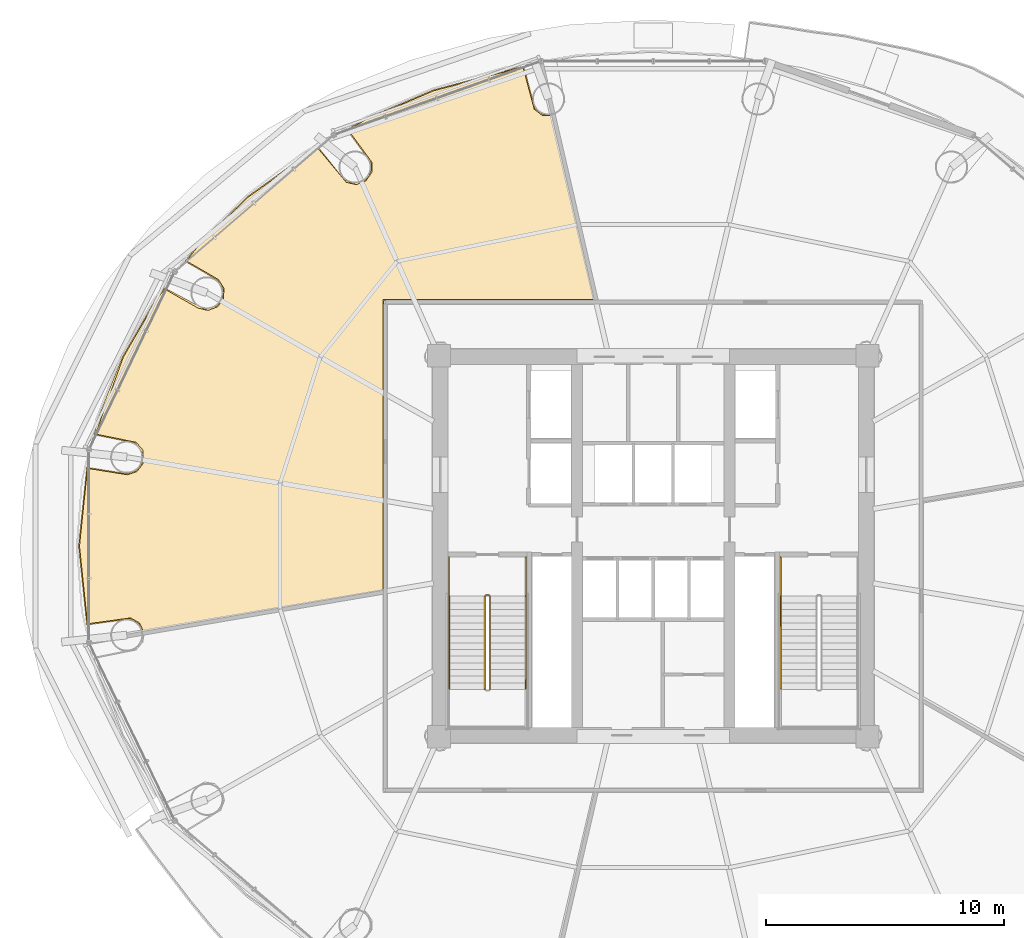
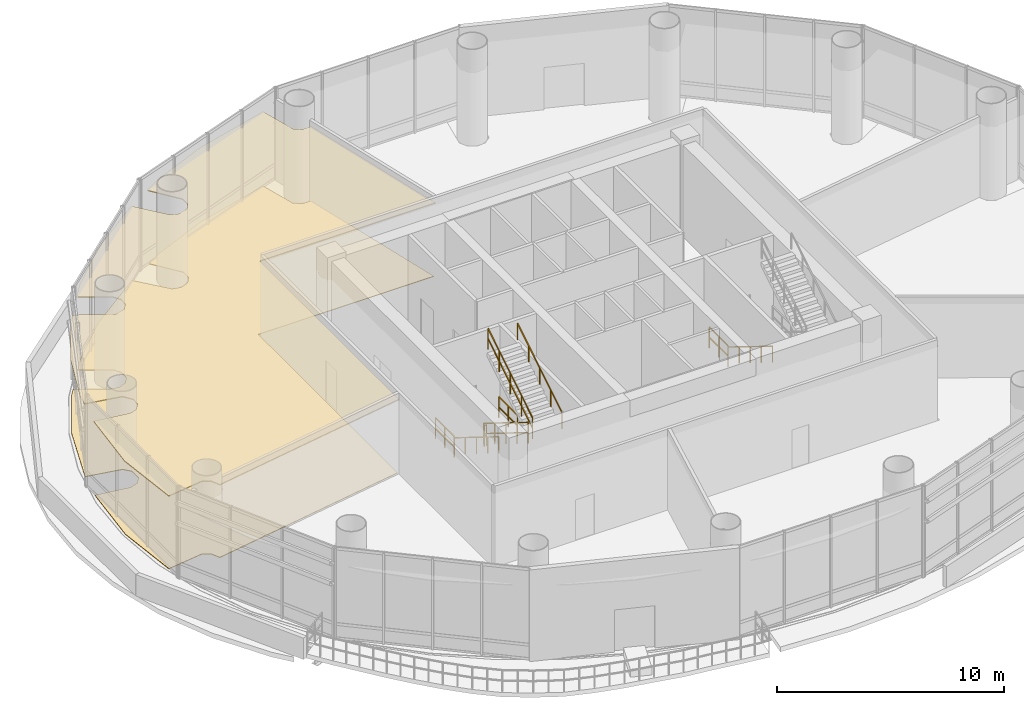
# One storey, part 26 of 29: 9 railings, 2 coverings.
"""IFC4 building model written with IfcOpenShell, lengths in metres."""

from ifc_helpers import new_model, si_unit, direction, frame, origin, origin_2d, place, context, subcontext, project, spatial, polyline, rectangle, outline, extrude, material, layer, layer_set, type_object, element, save


model = new_model("IFC4")

# Units and contexts
model_context = context("Model", 3, precision=1e-05, world=origin(), true_north=direction((-0.2419218956, 0.970295726276)))
body_context = subcontext(model_context, "Body", "Model", "MODEL_VIEW")
ifc_project = project(units=[si_unit("LENGTHUNIT", "METRE"), si_unit("AREAUNIT", "SQUARE_METRE"), si_unit("VOLUMEUNIT", "CUBIC_METRE"), si_unit("PLANEANGLEUNIT", "RADIAN"), si_unit("MASSUNIT", "GRAM", prefix="KILO")], contexts=[model_context])

# Site, building, storey
site_placement = place(None, origin())
site = spatial("IfcSite", under=ifc_project, at=site_placement, CompositionType="ELEMENT")
building_placement = place(site_placement, origin())
building = spatial("IfcBuilding", under=site, at=building_placement, Name="Cobrevalo Terracotta Tower", CompositionType="ELEMENT")
storey_placement = place(building_placement, frame((0.0, 0.0, 130.199951171875)))
storey = spatial("IfcBuildingStorey", under=building, at=storey_placement, Name="L34", CompositionType="ELEMENT", Elevation=130.199951171875)

# Coverings
ifc_material_1 = material(Name="Honed terracotta and granite tile", Category="masonry")
ifc_layer_1 = layer(ifc_material_1, 0.034912109375)
ifc_layer_set_1 = layer_set([ifc_layer_1], Name="Honed terracotta and granite tile")
covering_type_1 = type_object("IfcCoveringType", Name="Honed Terracotta & Granite Interior Flooring 35", PredefinedType="FLOORING", material=ifc_layer_set_1)
covering_1_placement = place(storey_placement, origin())
element("IfcCovering", 1, at=covering_1_placement, inside=storey, type_object=covering_type_1, Name="L34 Observatory Bar and Salon floor finish", PredefinedType="FLOORING", context=body_context, shape_type="SweptSolid", body=[
    extrude(outline(polyline([(13.900146484375, 26.800048828125), (14.236328125, 30.063720703125), (15.90478515625, 29.796142578125), (16.312255859375, 29.932861328125), (16.574951171875, 30.272705078125), (16.55859375, 30.8388671875), (16.2763671875, 31.1630859375), (14.57080078125, 31.508056640625), (15.734130859375, 34.720458984375), (17.128173828125, 37.14892578125), (17.4755859375, 37.595458984375), (18.885986328125, 36.795166015625), (19.30419921875, 36.700927734375), (19.705322265625, 36.85546875), (19.952880859375, 37.20654296875), (19.9638671875, 37.635986328125), (19.734130859375, 37.999267578125), (18.393798828125, 38.776123046875), (18.87939453125, 39.400146484375), (20.957763671875, 41.43603515625), (23.8857421875, 43.541748046875), (25.109619140625, 42.0771484375), (25.529296875, 41.98486328125), (25.929443359375, 42.14111328125), (26.175537109375, 42.4931640625), (26.184326171875, 42.9228515625), (25.18310546875, 44.286376953125), (25.948974609375, 44.72607421875), (28.7763671875, 45.923828125), (32.526123046875, 46.925048828125), (32.99951171875, 45.150390625), (33.3408203125, 44.88916015625), (33.796630859375, 44.873779296875), (35.5830078125, 37.155029296875), (26.64501953125, 37.155029296875), (26.64501953125, 24.87890625), (16.611572265625, 23.16357421875), (16.421630859375, 23.572021484375), (16.048583984375, 23.785400390625), (14.236328125, 23.536376953125), (13.900146484375, 26.800048828125)])), origin(), (0.0, 0.0, 1.0), 0.030029296875),
])
ifc_material_2 = material(Name="Acoustic perforated gypsum ceiling", Category="gypsum")
ifc_layer_2 = layer(ifc_material_2, 0.050048828125)
ifc_layer_set_2 = layer_set([ifc_layer_2], Name="Acoustic perforated gypsum ceiling")
covering_type_2 = type_object("IfcCoveringType", Name="Perforated Acoustic Gypsum Ceiling 50", PredefinedType="CEILING", material=ifc_layer_set_2)
covering_2_placement = place(storey_placement, frame((0.0, 0.0, 3.93994140625)))
element("IfcCovering", 2, at=covering_2_placement, inside=storey, type_object=covering_type_2, Name="L34 Observatory Bar and Salon acoustic ceiling", PredefinedType="CEILING", context=body_context, shape_type="SweptSolid", body=[
    extrude(outline(polyline([(13.85498046875, 26.800048828125), (14.2021484375, 30.115234375), (15.903564453125, 29.84130859375), (16.285888671875, 29.9697265625), (16.53271484375, 30.288818359375), (16.560546875, 30.691162109375), (16.25244140625, 31.124755859375), (14.51611328125, 31.4716796875), (14.677978515625, 32.170166015625), (15.693359375, 34.739990234375), (17.090576171875, 37.174072265625), (17.4638671875, 37.65380859375), (19.164794921875, 36.74951171875), (19.677490234375, 36.89111328125), (19.909912109375, 37.220703125), (19.920166015625, 37.6240234375), (19.70458984375, 37.965087890625), (18.326416015625, 38.7626953125), (18.845703125, 39.43017578125), (20.92822265625, 41.47021484375), (23.89697265625, 43.600341796875), (25.02001953125, 42.194580078125), (25.3896484375, 42.03271484375), (25.901611328125, 42.176513671875), (26.132568359375, 42.50732421875), (26.140869140625, 42.91064453125), (25.115478515625, 44.299560546875), (25.928955078125, 44.7666015625), (28.76123046875, 45.96630859375), (32.560302734375, 46.9765625), (33.036376953125, 45.1767578125), (33.356689453125, 44.931396484375), (33.830810546875, 44.926025390625), (35.6396484375, 37.110107421875), (26.68994140625, 37.110107421875), (26.68994140625, 24.841064453125), (16.576904296875, 23.112060546875), (16.388671875, 23.541015625), (16.03857421875, 23.7412109375), (14.2021484375, 23.48486328125), (13.85498046875, 26.800048828125)])), origin(), (0.0, 0.0, 1.0), 0.050048828125),
])

# Railings
ifc_material_3 = material(Name="Brushed stainless steel", Category="steel")
railing_type_1 = type_object("IfcRailingType", Name="Stainless Steel Stair Handrail 900", PredefinedType="HANDRAIL", material=ifc_material_3)
railing_1_placement = place(storey_placement, frame((29.425048828125, 24.699951171875, 0.17333984375)))
element("IfcRailing", 3, at=railing_1_placement, inside=storey, type_object=railing_type_1, Name="L34 ST-1 stair handrail 1", PredefinedType="HANDRAIL", context=body_context, shape_type="SweptSolid", body=[
    extrude(rectangle(XDim=0.048095703125, YDim=0.048095703125, at=origin_2d()), frame((0.0, 0.0, 0.8759765625), z_axis=(0.0, -0.850251603719, 0.526376491091), x_axis=(1.0, 0.0, 0.0)), (0.0, 0.0, 1.0), 4.6103515625),
    extrude(rectangle(XDim=0.0419921875, YDim=0.0419921875, at=origin_2d()), origin(), (0.0, 0.0, 1.0), 0.851806640625),
    extrude(rectangle(XDim=0.0419921875, YDim=0.0419921875, at=origin_2d()), frame((0.0, -0.97998046875, 0.606689453125)), (0.0, 0.0, 1.0), 0.851806640625),
    extrude(rectangle(XDim=0.0419921875, YDim=0.0419921875, at=origin_2d()), frame((0.0, -1.9599609375, 1.21337890625)), (0.0, 0.0, 1.0), 0.851806640625),
    extrude(rectangle(XDim=0.0419921875, YDim=0.0419921875, at=origin_2d()), frame((0.0, -2.93994140625, 1.820068359375)), (0.0, 0.0, 1.0), 0.851806640625),
    extrude(rectangle(XDim=0.0419921875, YDim=0.0419921875, at=origin_2d()), frame((0.0, -3.919921875, 2.4267578125)), (0.0, 0.0, 1.0), 0.851806640625),
])
railing_2_placement = place(storey_placement, frame((32.64501953125, 20.780029296875, 2.7734375)))
element("IfcRailing", 4, at=railing_2_placement, inside=storey, type_object=railing_type_1, Name="L34 ST-1 stair handrail 2", PredefinedType="HANDRAIL", context=body_context, shape_type="SweptSolid", body=[
    extrude(rectangle(XDim=0.048095703125, YDim=0.048095703125, at=origin_2d()), frame((0.0, 0.0, 0.8759765625), z_axis=(0.0, 0.850275303828, 0.526338206574), x_axis=(-1.0, 0.0, 0.0)), (0.0, 0.0, 1.0), 4.610107421875),
    extrude(rectangle(XDim=0.0419921875, YDim=0.0419921875, at=origin_2d()), origin(), (0.0, 0.0, 1.0), 0.851806640625),
    extrude(rectangle(XDim=0.0419921875, YDim=0.0419921875, at=origin_2d()), frame((0.0, 0.97998046875, 0.606689453125)), (0.0, 0.0, 1.0), 0.851806640625),
    extrude(rectangle(XDim=0.0419921875, YDim=0.0419921875, at=origin_2d()), frame((0.0, 1.9599609375, 1.21337890625)), (0.0, 0.0, 1.0), 0.851806640625),
    extrude(rectangle(XDim=0.0419921875, YDim=0.0419921875, at=origin_2d()), frame((0.0, 2.93994140625, 1.81982421875)), (0.0, 0.0, 1.0), 0.851806640625),
    extrude(rectangle(XDim=0.0419921875, YDim=0.0419921875, at=origin_2d()), frame((0.0, 3.919921875, 2.426513671875)), (0.0, 0.0, 1.0), 0.851806640625),
])
railing_3_placement = place(storey_placement, frame((43.35498046875, 24.699951171875, 0.17333984375)))
element("IfcRailing", 5, at=railing_3_placement, inside=storey, type_object=railing_type_1, Name="L34 ST-2 stair handrail 1", PredefinedType="HANDRAIL", context=body_context, shape_type="SweptSolid", body=[
    extrude(rectangle(XDim=0.048095703125, YDim=0.048095703125, at=origin_2d()), frame((0.0, 0.0, 0.8759765625), z_axis=(0.0, -0.850251603719, 0.526376491091), x_axis=(1.0, 0.0, 0.0)), (0.0, 0.0, 1.0), 4.6103515625),
    extrude(rectangle(XDim=0.0419921875, YDim=0.0419921875, at=origin_2d()), origin(), (0.0, 0.0, 1.0), 0.851806640625),
    extrude(rectangle(XDim=0.0419921875, YDim=0.0419921875, at=origin_2d()), frame((0.0, -0.97998046875, 0.606689453125)), (0.0, 0.0, 1.0), 0.851806640625),
    extrude(rectangle(XDim=0.0419921875, YDim=0.0419921875, at=origin_2d()), frame((0.0, -1.9599609375, 1.21337890625)), (0.0, 0.0, 1.0), 0.851806640625),
    extrude(rectangle(XDim=0.0419921875, YDim=0.0419921875, at=origin_2d()), frame((0.0, -2.93994140625, 1.820068359375)), (0.0, 0.0, 1.0), 0.851806640625),
    extrude(rectangle(XDim=0.0419921875, YDim=0.0419921875, at=origin_2d()), frame((0.0, -3.919921875, 2.4267578125)), (0.0, 0.0, 1.0), 0.851806640625),
])
ifc_material_4 = material(Name="Painted galvanized steel", Category="steel")
railing_type_2 = type_object("IfcRailingType", Name="Stair Well Guard Balustrade 1150", PredefinedType="GUARDRAIL", material=ifc_material_4)
railing_4_placement = place(storey_placement, frame((30.925048828125, 24.699951171875, 0.17333984375)))
element("IfcRailing", 6, at=railing_4_placement, inside=storey, type_object=railing_type_2, Name="L34 ST-1 stair guard 1", PredefinedType="GUARDRAIL", context=body_context, shape_type="SweptSolid", body=[
    extrude(rectangle(XDim=0.048095703125, YDim=0.048095703125, at=origin_2d()), frame((0.0, 0.0, 1.1259765625), z_axis=(0.0, -0.850251603719, 0.526376491091), x_axis=(1.0, 0.0, 0.0)), (0.0, 0.0, 1.0), 4.6103515625),
    extrude(rectangle(XDim=0.048095703125, YDim=0.048095703125, at=origin_2d()), frame((0.0, 0.0, 0.574951171875), z_axis=(0.0, -0.850251603719, 0.526376491091), x_axis=(1.0, 0.0, 0.0)), (0.0, 0.0, 1.0), 4.6103515625),
    extrude(rectangle(XDim=0.0419921875, YDim=0.0419921875, at=origin_2d()), origin(), (0.0, 0.0, 1.0), 1.101806640625),
    extrude(rectangle(XDim=0.0419921875, YDim=0.0419921875, at=origin_2d()), frame((0.0, -0.97998046875, 0.606689453125)), (0.0, 0.0, 1.0), 1.101806640625),
    extrude(rectangle(XDim=0.0419921875, YDim=0.0419921875, at=origin_2d()), frame((0.0, -1.9599609375, 1.21337890625)), (0.0, 0.0, 1.0), 1.101806640625),
    extrude(rectangle(XDim=0.0419921875, YDim=0.0419921875, at=origin_2d()), frame((0.0, -2.93994140625, 1.820068359375)), (0.0, 0.0, 1.0), 1.101806640625),
    extrude(rectangle(XDim=0.0419921875, YDim=0.0419921875, at=origin_2d()), frame((0.0, -3.919921875, 2.4267578125)), (0.0, 0.0, 1.0), 1.101806640625),
])
railing_5_placement = place(storey_placement, frame((31.14501953125, 20.780029296875, 2.7734375)))
element("IfcRailing", 7, at=railing_5_placement, inside=storey, type_object=railing_type_2, Name="L34 ST-1 stair guard 6", PredefinedType="GUARDRAIL", context=body_context, shape_type="SweptSolid", body=[
    extrude(rectangle(XDim=0.048095703125, YDim=0.048095703125, at=origin_2d()), frame((0.0, 0.0, 1.1259765625), z_axis=(0.0, 0.850275303828, 0.526338206574), x_axis=(-1.0, 0.0, 0.0)), (0.0, 0.0, 1.0), 4.610107421875),
    extrude(rectangle(XDim=0.048095703125, YDim=0.048095703125, at=origin_2d()), frame((0.0, 0.0, 0.574951171875), z_axis=(0.0, 0.850275303828, 0.526338206574), x_axis=(-1.0, 0.0, 0.0)), (0.0, 0.0, 1.0), 4.610107421875),
    extrude(rectangle(XDim=0.0419921875, YDim=0.0419921875, at=origin_2d()), origin(), (0.0, 0.0, 1.0), 1.101806640625),
    extrude(rectangle(XDim=0.0419921875, YDim=0.0419921875, at=origin_2d()), frame((0.0, 0.97998046875, 0.606689453125)), (0.0, 0.0, 1.0), 1.101806640625),
    extrude(rectangle(XDim=0.0419921875, YDim=0.0419921875, at=origin_2d()), frame((0.0, 1.9599609375, 1.21337890625)), (0.0, 0.0, 1.0), 1.101806640625),
    extrude(rectangle(XDim=0.0419921875, YDim=0.0419921875, at=origin_2d()), frame((0.0, 2.93994140625, 1.81982421875)), (0.0, 0.0, 1.0), 1.101806640625),
    extrude(rectangle(XDim=0.0419921875, YDim=0.0419921875, at=origin_2d()), frame((0.0, 3.919921875, 2.426513671875)), (0.0, 0.0, 1.0), 1.101806640625),
])
railing_6_placement = place(storey_placement, frame((30.97509765625, 24.75, 0.0)))
element("IfcRailing", 8, at=railing_6_placement, inside=storey, type_object=railing_type_2, Name="L34 ST-1 stair guard 7", PredefinedType="GUARDRAIL", context=body_context, shape_type="SweptSolid", body=[
    extrude(rectangle(XDim=0.048095703125, YDim=0.048095703125, at=origin_2d()), frame((0.0, 0.0, 1.1259765625), z_axis=(1.0, 0.0, 0.0), x_axis=(0.0, 1.0, 0.0)), (0.0, 0.0, 1.0), 0.119873046875),
    extrude(rectangle(XDim=0.048095703125, YDim=0.048095703125, at=origin_2d()), frame((0.0, 0.0, 0.574951171875), z_axis=(1.0, 0.0, 0.0), x_axis=(0.0, 1.0, 0.0)), (0.0, 0.0, 1.0), 0.119873046875),
    extrude(rectangle(XDim=0.0419921875, YDim=0.0419921875, at=origin_2d()), origin(), (0.0, 0.0, 1.0), 1.101806640625),
    extrude(rectangle(XDim=0.0419921875, YDim=0.0419921875, at=origin_2d()), frame((0.119873046875, 0.0, 0.0)), (0.0, 0.0, 1.0), 1.101806640625),
])
for number, where, name in (
    (9, (29.425048828125, 26.35009765625, 0.0), "L34 ST-1 stair guard 8"),
    (10, (32.64501953125, 26.35009765625, 0.0), "L34 ST-1 stair guard 9"),
    (11, (43.35498046875, 26.35009765625, 0.0), "L34 ST-2 stair guard 8"),
):
    element("IfcRailing", number, at=place(storey_placement, frame(where)), inside=storey, type_object=railing_type_2, Name=name, PredefinedType="GUARDRAIL", context=body_context, shape_type="SweptSolid", body=[
        extrude(rectangle(XDim=0.048095703125, YDim=0.048095703125, at=origin_2d()), frame((0.0, 0.0, 1.1259765625), z_axis=(0.0, -1.0, 0.0), x_axis=(1.0, 0.0, 0.0)), (0.0, 0.0, 1.0), 1.650146484375),
        extrude(rectangle(XDim=0.048095703125, YDim=0.048095703125, at=origin_2d()), frame((0.0, 0.0, 0.574951171875), z_axis=(0.0, -1.0, 0.0), x_axis=(1.0, 0.0, 0.0)), (0.0, 0.0, 1.0), 1.650146484375),
        extrude(rectangle(XDim=0.0419921875, YDim=0.0419921875, at=origin_2d()), origin(), (0.0, 0.0, 1.0), 1.101806640625),
        extrude(rectangle(XDim=0.0419921875, YDim=0.0419921875, at=origin_2d()), frame((0.0, -0.8251953125, 0.0)), (0.0, 0.0, 1.0), 1.101806640625),
        extrude(rectangle(XDim=0.0419921875, YDim=0.0419921875, at=origin_2d()), frame((0.0, -1.650146484375, 0.0)), (0.0, 0.0, 1.0), 1.101806640625),
    ])

save(model, "model.ifc")
